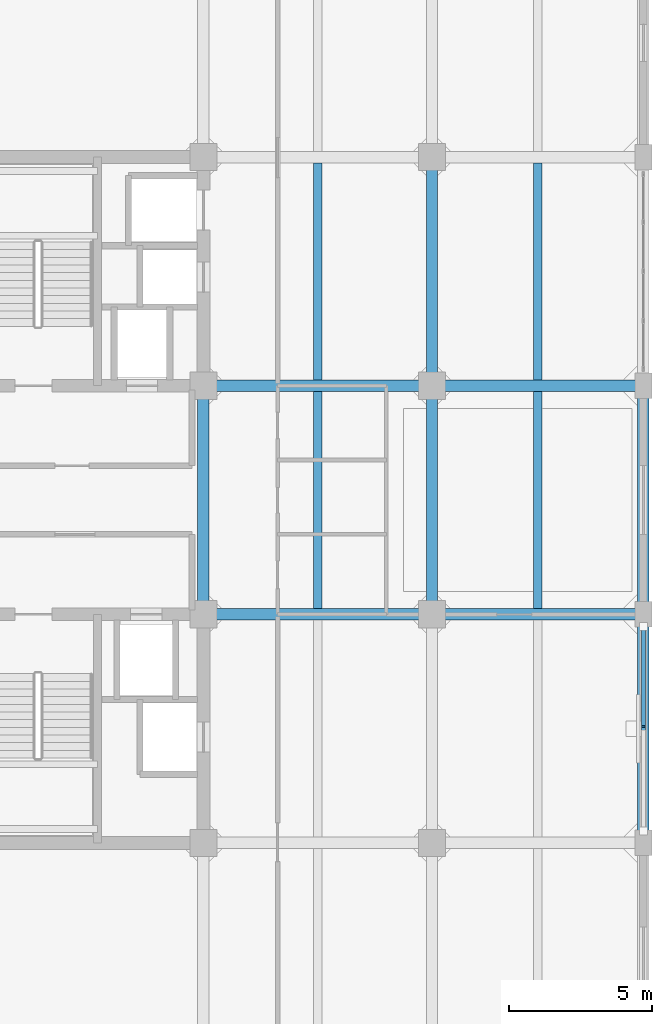
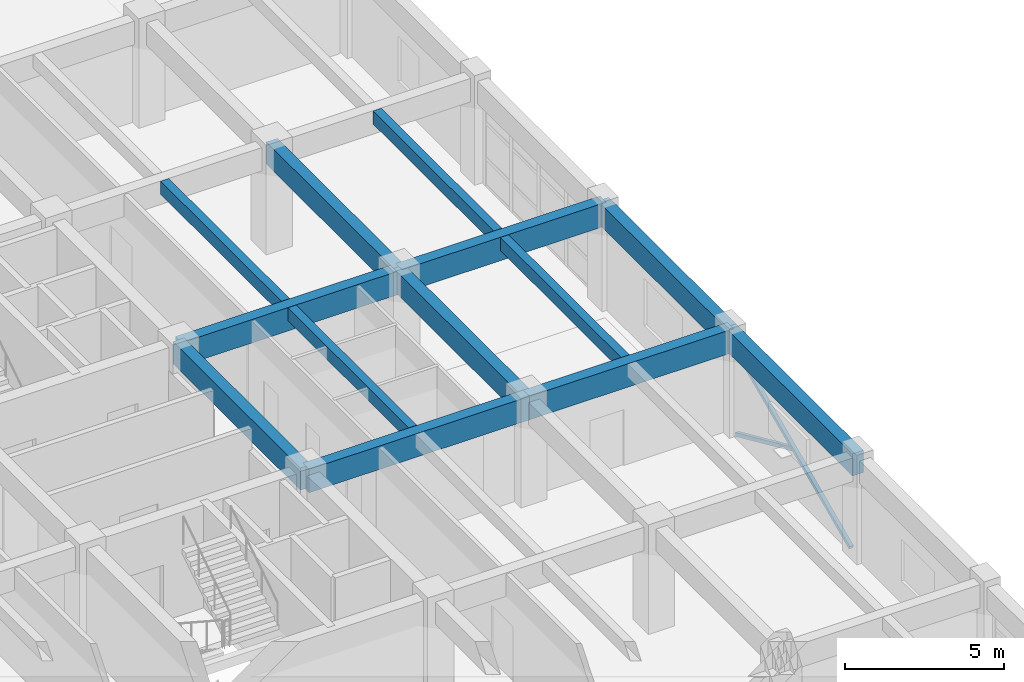
# One storey, part 16 of 35: 13 beams, 2 members.
"""IFC4 building model written with IfcOpenShell, lengths in metres."""

from ifc_helpers import new_model, si_unit, direction, frame, origin, origin_2d, place, context, subcontext, project, spatial, rectangle, hollow_rectangle, extrude, material, material_profile, profile_set, type_object, element, save


model = new_model("IFC4")

# Units and contexts
model_context = context("Model", 3, precision=1e-05, world=origin(), true_north=direction((0.0, 1.0)))
body_context = subcontext(model_context, "Body", "Model", "MODEL_VIEW")
ifc_project = project(units=[si_unit("LENGTHUNIT", "METRE"), si_unit("AREAUNIT", "SQUARE_METRE"), si_unit("VOLUMEUNIT", "CUBIC_METRE"), si_unit("PLANEANGLEUNIT", "RADIAN"), si_unit("MASSUNIT", "GRAM", prefix="KILO")], contexts=[model_context])

# Site, building, storey
site_placement = place(None, origin())
site = spatial("IfcSite", under=ifc_project, at=site_placement, CompositionType="ELEMENT")
building_placement = place(site_placement, origin())
building = spatial("IfcBuilding", under=site, at=building_placement, Name="Canggui Botanical Conservatory", CompositionType="ELEMENT")
storey_placement = place(building_placement, frame((0.0, 0.0, 15.0)))
storey = spatial("IfcBuildingStorey", under=building, at=storey_placement, Name="L04", CompositionType="ELEMENT", Elevation=15.0)

# Beams
ifc_material_1 = material(Name="Concrete C35", Category="concrete")
ifc_material_profile_1 = material_profile(ifc_material_1, rectangle(XDim=0.300048828125, YDim=0.5, at=origin_2d()), Name="RB 300x500")
ifc_profile_set_1 = profile_set([ifc_material_profile_1], Name="Concrete C35")
beam_type_1 = type_object("IfcBeamType", Name="BM-JST02", PredefinedType="JOIST", material=ifc_profile_set_1)
for number, where, z_axis, x_axis, name in (
    (1, (166.0, 50.205078125, 3.699951171875), (0.0, 1.0, 0.0), (-1.0, 0.0, 0.0), "Secondary Floor Joist L04-4-4"),
    (2, (166.0, 58.205078125, 3.699951171875), (0.0, 1.0, 0.0), (-1.0, 0.0, 0.0), "Secondary Floor Joist L04-4-5"),
    (3, (173.699951171875, 50.205078125, 3.699951171875), (0.0, 1.0, 0.0), (-1.0, 0.0, 0.0), "Secondary Floor Joist L04-5-4"),
    (4, (173.699951171875, 58.205078125, 3.699951171875), (0.0, 1.0, 0.0), (-1.0, 0.0, 0.0), "Secondary Floor Joist L04-5-5"),
):
    element("IfcBeam", number, at=place(storey_placement, frame(where, z_axis=z_axis, x_axis=x_axis)), inside=storey, type_object=beam_type_1, Name=name, PredefinedType="JOIST", context=body_context, shape_type="SweptSolid", body=[
        extrude(rectangle(XDim=0.300048828125, YDim=0.5, at=origin_2d()), origin(), (0.0, 0.0, 1.0), 7.58984375),
    ])
ifc_material_profile_2 = material_profile(ifc_material_1, rectangle(XDim=0.39990234375, YDim=0.89990234375, at=origin_2d()), Name="RB 400x900")
ifc_profile_set_2 = profile_set([ifc_material_profile_2], Name="Concrete C35")
beam_type_2 = type_object("IfcBeamType", Name="BM-KL07", PredefinedType="BEAM", material=ifc_profile_set_2)
beam_1_placement = place(storey_placement, frame((162.0, 50.0, 3.5), z_axis=(1.0, 0.0, 0.0), x_axis=(0.0, 1.0, 0.0)))
element("IfcBeam", 5, at=beam_1_placement, inside=storey, type_object=beam_type_2, Name="Frame Girder L04 Y50-4", PredefinedType="BEAM", context=body_context, shape_type="SweptSolid", body=[
    extrude(rectangle(XDim=0.39990234375, YDim=0.89990234375, at=origin_2d()), origin(), (0.0, 0.0, 1.0), 8.0),
])
beam_2_placement = place(storey_placement, frame((170.0, 50.0, 3.5), z_axis=(1.0, 0.0, 0.0), x_axis=(0.0, 1.0, 0.0)))
element("IfcBeam", 6, at=beam_2_placement, inside=storey, type_object=beam_type_2, Name="Frame Girder L04 Y50-5", PredefinedType="BEAM", context=body_context, shape_type="SweptSolid", body=[
    extrude(rectangle(XDim=0.39990234375, YDim=0.89990234375, at=origin_2d()), origin(), (0.0, 0.0, 1.0), 7.39990234375),
])
beam_3_placement = place(storey_placement, frame((162.0, 58.0, 3.5), z_axis=(1.0, 0.0, 0.0), x_axis=(0.0, 1.0, 0.0)))
element("IfcBeam", 7, at=beam_3_placement, inside=storey, type_object=beam_type_2, Name="Frame Girder L04 Y58-4", PredefinedType="BEAM", context=body_context, shape_type="SweptSolid", body=[
    extrude(rectangle(XDim=0.39990234375, YDim=0.89990234375, at=origin_2d()), origin(), (0.0, 0.0, 1.0), 8.0),
])
beam_4_placement = place(storey_placement, frame((170.0, 58.0, 3.5), z_axis=(1.0, 0.0, 0.0), x_axis=(0.0, 1.0, 0.0)))
element("IfcBeam", 8, at=beam_4_placement, inside=storey, type_object=beam_type_2, Name="Frame Girder L04 Y58-5", PredefinedType="BEAM", context=body_context, shape_type="SweptSolid", body=[
    extrude(rectangle(XDim=0.39990234375, YDim=0.89990234375, at=origin_2d()), origin(), (0.0, 0.0, 1.0), 7.39990234375),
])
ifc_material_profile_3 = material_profile(ifc_material_1, rectangle(XDim=0.39990234375, YDim=0.85009765625, at=origin_2d()), Name="RB 400x850")
ifc_profile_set_3 = profile_set([ifc_material_profile_3], Name="Concrete C35")
beam_type_3 = type_object("IfcBeamType", Name="BM-KL08", PredefinedType="BEAM", material=ifc_profile_set_3)
for number, where, z_axis, x_axis, name in (
    (9, (162.0, 50.0, 3.52490234375), (0.0, 1.0, 0.0), (-1.0, 0.0, 0.0), "Frame Girder L04 X162-4"),
    (10, (170.0, 50.0, 3.52490234375), (0.0, 1.0, 0.0), (-1.0, 0.0, 0.0), "Frame Girder L04 X170-4"),
    (11, (170.0, 58.0, 3.52490234375), (0.0, 1.0, 0.0), (-1.0, 0.0, 0.0), "Frame Girder L04 X170-5"),
    (12, (177.39990234375, 42.0, 3.52490234375), (0.0, 1.0, 0.0), (-1.0, 0.0, 0.0), "Frame Girder L04 X178-3"),
    (13, (177.39990234375, 50.0, 3.52490234375), (0.0, 1.0, 0.0), (-1.0, 0.0, 0.0), "Frame Girder L04 X178-4"),
):
    element("IfcBeam", number, at=place(storey_placement, frame(where, z_axis=z_axis, x_axis=x_axis)), inside=storey, type_object=beam_type_3, Name=name, PredefinedType="BEAM", context=body_context, shape_type="SweptSolid", body=[
        extrude(rectangle(XDim=0.39990234375, YDim=0.85009765625, at=origin_2d()), origin(), (0.0, 0.0, 1.0), 8.0),
    ])

# Members
ifc_material_2 = material(Name="Steel Q355B", Category="steel")
ifc_material_profile_4 = material_profile(ifc_material_2, hollow_rectangle(XDim=0.139892578125, YDim=0.139892578125, WallThickness=0.006103515625, at=origin_2d()), Name="SHS 140x140x6")
ifc_profile_set_4 = profile_set([ifc_material_profile_4], Name="Steel Q355B")
member_type = type_object("IfcMemberType", Name="MEM-ZC05", PredefinedType="BRACE", material=ifc_profile_set_4)
member_1_placement = place(storey_placement, frame((177.39990234375, 42.419921875, 0.050048828125), z_axis=(0.0, 0.912021558341, 0.41014226449), x_axis=(-1.0, 0.0, 0.0)))
element("IfcMember", 14, at=member_1_placement, inside=storey, type_object=member_type, Name="Seismic Concentric X-Brace Continuous Diagonal L04-A", PredefinedType="BRACE", context=body_context, shape_type="SweptSolid", body=[
    extrude(hollow_rectangle(XDim=0.139892578125, YDim=0.139892578125, WallThickness=0.006103515625, at=origin_2d()), origin(), (0.0, 0.0, 1.0), 7.850830078125),
])
member_2_placement = place(storey_placement, frame((177.39990234375, 49.580078125, 0.050048828125), z_axis=(0.0, -0.912022453125, 0.410140274778), x_axis=(1.0, 0.0, 0.0)))
element("IfcMember", 15, at=member_2_placement, inside=storey, type_object=member_type, Name="Seismic Concentric X-Brace Lower Split Diagonal L04-B1", PredefinedType="BRACE", context=body_context, shape_type="SweptSolid", body=[
    extrude(hollow_rectangle(XDim=0.139892578125, YDim=0.139892578125, WallThickness=0.006103515625, at=origin_2d()), origin(), (0.0, 0.0, 1.0), 3.845458984375),
])

save(model, "model.ifc")
